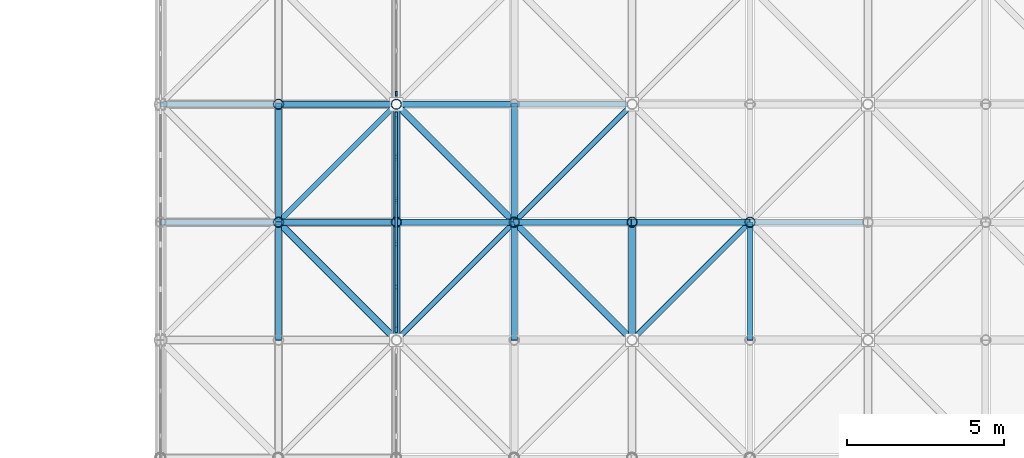
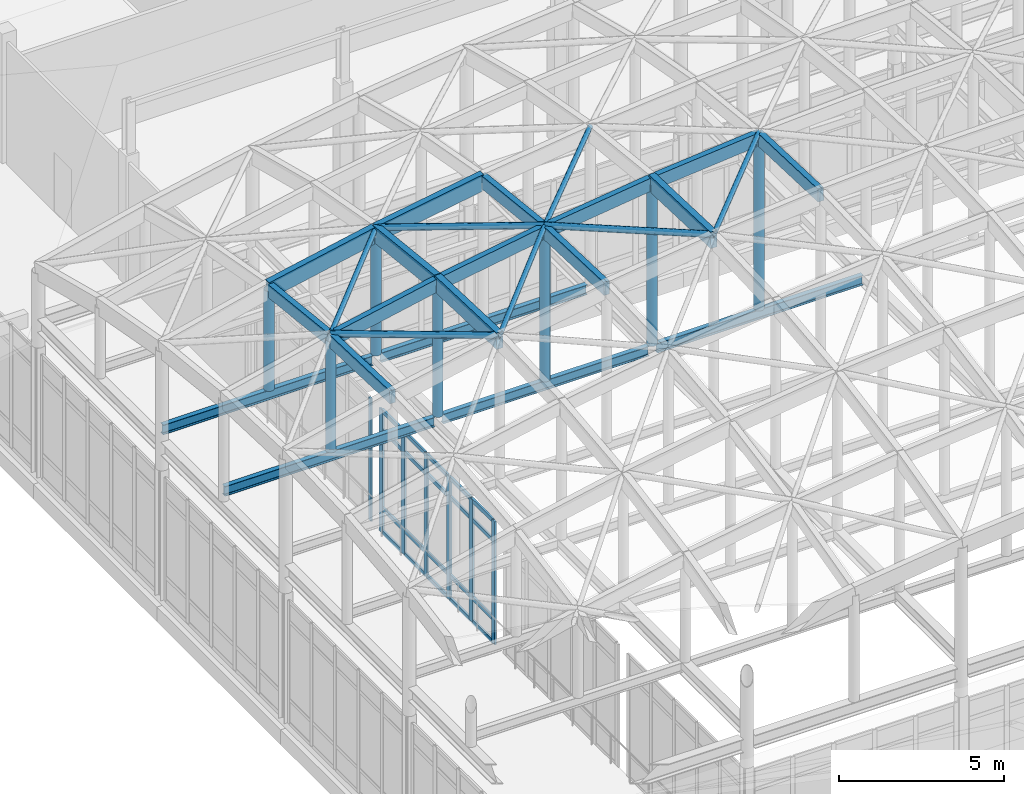
# One storey, part 37 of 131: 55 members, 5 beams, 2 elements without a shape of their own.
"""IFC4 building model written with IfcOpenShell, lengths in metres."""

from ifc_helpers import new_model, si_unit, direction, frame, origin, origin_2d, place, context, subcontext, project, spatial, rectangle, hollow_circle, i_section, extrude, material, layer, layer_set, material_profile, profile_set, type_object, element, aggregate, save


model = new_model("IFC4")

# Units and contexts
model_context = context("Model", 3, precision=1e-05, world=origin(), true_north=direction((0.0, 1.0)))
body_context = subcontext(model_context, "Body", "Model", "MODEL_VIEW")
ifc_project = project(units=[si_unit("LENGTHUNIT", "METRE"), si_unit("AREAUNIT", "SQUARE_METRE"), si_unit("VOLUMEUNIT", "CUBIC_METRE"), si_unit("PLANEANGLEUNIT", "RADIAN"), si_unit("MASSUNIT", "GRAM", prefix="KILO")], contexts=[model_context])

# Site, building, storey
site_placement = place(None, origin())
site = spatial("IfcSite", under=ifc_project, at=site_placement, CompositionType="ELEMENT")
building_placement = place(site_placement, origin())
building = spatial("IfcBuilding", under=site, at=building_placement, Name="Dalvernix Boulevard General Hospital", CompositionType="ELEMENT")
storey_placement = place(building_placement, frame((0.0, 0.0, 9.300048828125)))
storey = spatial("IfcBuildingStorey", under=building, at=storey_placement, Name="L02", CompositionType="ELEMENT", Elevation=9.300048828125)

# Beams
ifc_material_1 = material(Name="Steel S355", Category="steel")
ifc_material_profile_1 = material_profile(ifc_material_1, i_section(OverallWidth=0.169921875, OverallDepth=0.360107421875, WebThickness=0.008056640625, FlangeThickness=0.0126953125, FilletRadius=0.01806640625, at=origin_2d()), Name="IPE 360")
ifc_profile_set_1 = profile_set([ifc_material_profile_1], Name="Steel S355")
beam_type = type_object("IfcBeamType", Name="BM-RB-08", PredefinedType="BEAM", material=ifc_profile_set_1)
beam_1_placement = place(storey_placement, frame((60.0, 50.25, 6.219970703125), z_axis=(1.0, 0.0, 0.0), x_axis=(0.0, 1.0, 0.0)))
element("IfcBeam", 1, at=beam_1_placement, inside=storey, type_object=beam_type, Name="ROOF TRUSS Gridshell cross tie 0-5", PredefinedType="BEAM", context=body_context, shape_type="SweptSolid", body=[
    extrude(i_section(OverallWidth=0.169921875, OverallDepth=0.360107421875, WebThickness=0.008056640625, FlangeThickness=0.0126953125, FilletRadius=0.01806640625, at=origin_2d()), origin(), (0.0, 0.0, 1.0), 7.35791015625),
])
for number, where, z_axis, x_axis, name in (
    (2, (67.64208984375, 50.25, 6.219970703125), (1.0, 0.0, 0.0), (0.0, 1.0, 0.0), "ROOF TRUSS Gridshell cross tie 2-5"),
    (3, (75.14208984375, 50.25, 6.219970703125), (1.0, 0.0, 0.0), (0.0, 1.0, 0.0), "ROOF TRUSS Gridshell cross tie 4-5"),
):
    element("IfcBeam", number, at=place(storey_placement, frame(where, z_axis=z_axis, x_axis=x_axis)), inside=storey, type_object=beam_type, Name=name, PredefinedType="BEAM", context=body_context, shape_type="SweptSolid", body=[
        extrude(i_section(OverallWidth=0.169921875, OverallDepth=0.360107421875, WebThickness=0.008056640625, FlangeThickness=0.0126953125, FilletRadius=0.01806640625, at=origin_2d()), origin(), (0.0, 0.0, 1.0), 7.2158203125),
    ])
beam_2_placement = place(storey_placement, frame((60.0, 54.0, 6.219970703125), z_axis=(1.0, 0.0, 0.0), x_axis=(0.0, 1.0, 0.0)))
element("IfcBeam", 4, at=beam_2_placement, inside=storey, type_object=beam_type, Name="ROOF TRUSS Gridshell cross tie 0-6", PredefinedType="BEAM", context=body_context, shape_type="SweptSolid", body=[
    extrude(i_section(OverallWidth=0.169921875, OverallDepth=0.360107421875, WebThickness=0.008056640625, FlangeThickness=0.0126953125, FilletRadius=0.01806640625, at=origin_2d()), origin(), (0.0, 0.0, 1.0), 7.35791015625),
])
beam_3_placement = place(storey_placement, frame((67.64208984375, 54.0, 6.219970703125), z_axis=(1.0, 0.0, 0.0), x_axis=(0.0, 1.0, 0.0)))
element("IfcBeam", 5, at=beam_3_placement, inside=storey, type_object=beam_type, Name="ROOF TRUSS Gridshell cross tie 2-6", PredefinedType="BEAM", context=body_context, shape_type="SweptSolid", body=[
    extrude(i_section(OverallWidth=0.169921875, OverallDepth=0.360107421875, WebThickness=0.008056640625, FlangeThickness=0.0126953125, FilletRadius=0.01806640625, at=origin_2d()), origin(), (0.0, 0.0, 1.0), 7.2158203125),
])

# Curtain wall, member
ifc_material_2 = material(Name="Thermally broken aluminium and solar-control glass curtain wall", Category="aluminium")
ifc_layer_1 = layer(ifc_material_2, 0.159912109375)
ifc_layer_set_1 = layer_set([ifc_layer_1], Name="Thermally broken aluminium and solar-control glass curtain wall (CW-CW-A-70x46)")
curtain_wall_type_1 = type_object("IfcCurtainWallType", Name="CW-CW-A-70x46", PredefinedType="USERDEFINED", material=ifc_layer_set_1)
curtain_wall_1_placement = place(storey_placement, origin())
curtain_wall_1 = element("IfcCurtainWall", 6, at=curtain_wall_1_placement, inside=storey, type_object=curtain_wall_type_1, Name="L02 curtain wall CW-A-70x46 9-7", ObjectType="GLAZED FACADE", PredefinedType="USERDEFINED")
ifc_material_3 = material(Name="Aluminium EN AW-6060", Category="aluminium")
ifc_material_profile_2 = material_profile(ifc_material_3, rectangle(XDim=0.06005859375, YDim=0.159912109375, at=origin_2d()), Name="ALU MULL 60x160")
ifc_profile_set_2 = profile_set([ifc_material_profile_2], Name="Aluminium EN AW-6060")
member_type_1 = type_object("IfcMemberType", Name="MEM-CW-M1", PredefinedType="MULLION", material=ifc_profile_set_2)
member_1_placement = place(storey_placement, frame((67.5, 54.340087890625, 0.0), z_axis=(0.0, 0.0, 1.0), x_axis=(1.0, 0.0, 0.0)))
member_1 = element("IfcMember", 7, at=member_1_placement, type_object=member_type_1, Name="CW-A-70x46 mullion 6", PredefinedType="MULLION", context=body_context, shape_type="SweptSolid", body=[
    extrude(rectangle(XDim=0.06005859375, YDim=0.159912109375, at=origin_2d()), origin(), (0.0, 0.0, 1.0), 4.550048828125),
])
aggregate(curtain_wall_1, [member_1])

# Curtain wall, members
ifc_layer_2 = layer(ifc_material_2, 0.199951171875)
ifc_layer_set_2 = layer_set([ifc_layer_2], Name="Thermally broken aluminium and solar-control glass curtain wall (CW-CW-C-69x46)")
curtain_wall_type_2 = type_object("IfcCurtainWallType", Name="CW-CW-C-69x46", PredefinedType="USERDEFINED", material=ifc_layer_set_2)
curtain_wall_2_placement = place(storey_placement, origin())
curtain_wall_2 = element("IfcCurtainWall", 8, at=curtain_wall_2_placement, inside=storey, type_object=curtain_wall_type_2, Name="L02 curtain wall CW-C-69x46 9-6", ObjectType="GLAZED FACADE", PredefinedType="USERDEFINED")
ifc_material_profile_3 = material_profile(ifc_material_3, rectangle(XDim=0.070068359375, YDim=0.199951171875, at=origin_2d()), Name="ALU MULL 70x200")
ifc_profile_set_3 = profile_set([ifc_material_profile_3], Name="Aluminium EN AW-6060")
member_type_2 = type_object("IfcMemberType", Name="MEM-CW-M3", PredefinedType="MULLION", material=ifc_profile_set_3)
member_2_placement = place(storey_placement, frame((67.5, 53.655029296875, 0.0), z_axis=(0.0, 0.0, 1.0), x_axis=(1.0, 0.0, 0.0)))
member_2 = element("IfcMember", 9, at=member_2_placement, type_object=member_type_2, Name="CW-C-69x46 mullion 1", PredefinedType="MULLION", context=body_context, shape_type="SweptSolid", body=[
    extrude(rectangle(XDim=0.070068359375, YDim=0.199951171875, at=origin_2d()), origin(), (0.0, 0.0, 1.0), 4.550048828125),
])
member_3_placement = place(storey_placement, frame((67.5, 52.31396484375, 0.0), z_axis=(0.0, 0.0, 1.0), x_axis=(1.0, 0.0, 0.0)))
member_3 = element("IfcMember", 10, at=member_3_placement, type_object=member_type_2, Name="CW-C-69x46 mullion 2", PredefinedType="MULLION", context=body_context, shape_type="SweptSolid", body=[
    extrude(rectangle(XDim=0.070068359375, YDim=0.199951171875, at=origin_2d()), origin(), (0.0, 0.0, 1.0), 4.550048828125),
])
member_4_placement = place(storey_placement, frame((67.5, 50.93798828125, 0.0), z_axis=(0.0, 0.0, 1.0), x_axis=(1.0, 0.0, 0.0)))
member_4 = element("IfcMember", 11, at=member_4_placement, type_object=member_type_2, Name="CW-C-69x46 mullion 3", PredefinedType="MULLION", context=body_context, shape_type="SweptSolid", body=[
    extrude(rectangle(XDim=0.070068359375, YDim=0.199951171875, at=origin_2d()), origin(), (0.0, 0.0, 1.0), 4.550048828125),
])
member_5_placement = place(storey_placement, frame((67.5, 49.56201171875, 0.0), z_axis=(0.0, 0.0, 1.0), x_axis=(1.0, 0.0, 0.0)))
member_5 = element("IfcMember", 12, at=member_5_placement, type_object=member_type_2, Name="CW-C-69x46 mullion 4", PredefinedType="MULLION", context=body_context, shape_type="SweptSolid", body=[
    extrude(rectangle(XDim=0.070068359375, YDim=0.199951171875, at=origin_2d()), origin(), (0.0, 0.0, 1.0), 4.550048828125),
])
member_6_placement = place(storey_placement, frame((67.5, 48.18603515625, 0.0), z_axis=(0.0, 0.0, 1.0), x_axis=(1.0, 0.0, 0.0)))
member_6 = element("IfcMember", 13, at=member_6_placement, type_object=member_type_2, Name="CW-C-69x46 mullion 5", PredefinedType="MULLION", context=body_context, shape_type="SweptSolid", body=[
    extrude(rectangle(XDim=0.070068359375, YDim=0.199951171875, at=origin_2d()), origin(), (0.0, 0.0, 1.0), 4.550048828125),
])
member_7_placement = place(storey_placement, frame((67.5, 46.844970703125, 0.0), z_axis=(0.0, 0.0, 1.0), x_axis=(1.0, 0.0, 0.0)))
member_7 = element("IfcMember", 14, at=member_7_placement, type_object=member_type_2, Name="CW-C-69x46 mullion 6", PredefinedType="MULLION", context=body_context, shape_type="SweptSolid", body=[
    extrude(rectangle(XDim=0.070068359375, YDim=0.199951171875, at=origin_2d()), origin(), (0.0, 0.0, 1.0), 4.550048828125),
])
ifc_material_profile_4 = material_profile(ifc_material_3, rectangle(XDim=0.070068359375, YDim=0.14990234375, at=origin_2d()), Name="ALU TRAN 70x150")
ifc_profile_set_4 = profile_set([ifc_material_profile_4], Name="Aluminium EN AW-6060")
member_type_3 = type_object("IfcMemberType", Name="MEM-CW-T3", PredefinedType="USERDEFINED", material=ifc_profile_set_4)
member_8_placement = place(storey_placement, frame((67.5, 53.6201171875, 0.034912109375), z_axis=(0.0, -1.0, 0.0), x_axis=(1.0, 0.0, 0.0)))
member_8 = element("IfcMember", 15, at=member_8_placement, type_object=member_type_3, Name="CW-C-69x46 transom 1.1", ObjectType="TRANSOM", PredefinedType="USERDEFINED", context=body_context, shape_type="SweptSolid", body=[
    extrude(rectangle(XDim=0.070068359375, YDim=0.14990234375, at=origin_2d()), origin(), (0.0, 0.0, 1.0), 1.27099609375),
])
member_9_placement = place(storey_placement, frame((67.5, 53.6201171875, 0.89990234375), z_axis=(0.0, -1.0, 0.0), x_axis=(1.0, 0.0, 0.0)))
member_9 = element("IfcMember", 16, at=member_9_placement, type_object=member_type_3, Name="CW-C-69x46 transom 1.2", ObjectType="TRANSOM", PredefinedType="USERDEFINED", context=body_context, shape_type="SweptSolid", body=[
    extrude(rectangle(XDim=0.070068359375, YDim=0.14990234375, at=origin_2d()), origin(), (0.0, 0.0, 1.0), 1.27099609375),
])
member_10_placement = place(storey_placement, frame((67.5, 53.6201171875, 3.800048828125), z_axis=(0.0, -1.0, 0.0), x_axis=(1.0, 0.0, 0.0)))
member_10 = element("IfcMember", 17, at=member_10_placement, type_object=member_type_3, Name="CW-C-69x46 transom 1.3", ObjectType="TRANSOM", PredefinedType="USERDEFINED", context=body_context, shape_type="SweptSolid", body=[
    extrude(rectangle(XDim=0.070068359375, YDim=0.14990234375, at=origin_2d()), origin(), (0.0, 0.0, 1.0), 1.27099609375),
])
member_11_placement = place(storey_placement, frame((67.5, 53.6201171875, 4.514892578125), z_axis=(0.0, -1.0, 0.0), x_axis=(1.0, 0.0, 0.0)))
member_11 = element("IfcMember", 18, at=member_11_placement, type_object=member_type_3, Name="CW-C-69x46 transom 1.4", ObjectType="TRANSOM", PredefinedType="USERDEFINED", context=body_context, shape_type="SweptSolid", body=[
    extrude(rectangle(XDim=0.070068359375, YDim=0.14990234375, at=origin_2d()), origin(), (0.0, 0.0, 1.0), 1.27099609375),
])
member_12_placement = place(storey_placement, frame((67.5, 52.279052734375, 0.034912109375), z_axis=(0.0, -1.0, 0.0), x_axis=(1.0, 0.0, 0.0)))
member_12 = element("IfcMember", 19, at=member_12_placement, type_object=member_type_3, Name="CW-C-69x46 transom 2.1", ObjectType="TRANSOM", PredefinedType="USERDEFINED", context=body_context, shape_type="SweptSolid", body=[
    extrude(rectangle(XDim=0.070068359375, YDim=0.14990234375, at=origin_2d()), origin(), (0.0, 0.0, 1.0), 1.30615234375),
])
member_13_placement = place(storey_placement, frame((67.5, 52.279052734375, 0.89990234375), z_axis=(0.0, -1.0, 0.0), x_axis=(1.0, 0.0, 0.0)))
member_13 = element("IfcMember", 20, at=member_13_placement, type_object=member_type_3, Name="CW-C-69x46 transom 2.2", ObjectType="TRANSOM", PredefinedType="USERDEFINED", context=body_context, shape_type="SweptSolid", body=[
    extrude(rectangle(XDim=0.070068359375, YDim=0.14990234375, at=origin_2d()), origin(), (0.0, 0.0, 1.0), 1.30615234375),
])
member_14_placement = place(storey_placement, frame((67.5, 52.279052734375, 3.800048828125), z_axis=(0.0, -1.0, 0.0), x_axis=(1.0, 0.0, 0.0)))
member_14 = element("IfcMember", 21, at=member_14_placement, type_object=member_type_3, Name="CW-C-69x46 transom 2.3", ObjectType="TRANSOM", PredefinedType="USERDEFINED", context=body_context, shape_type="SweptSolid", body=[
    extrude(rectangle(XDim=0.070068359375, YDim=0.14990234375, at=origin_2d()), origin(), (0.0, 0.0, 1.0), 1.30615234375),
])
member_15_placement = place(storey_placement, frame((67.5, 52.279052734375, 4.514892578125), z_axis=(0.0, -1.0, 0.0), x_axis=(1.0, 0.0, 0.0)))
member_15 = element("IfcMember", 22, at=member_15_placement, type_object=member_type_3, Name="CW-C-69x46 transom 2.4", ObjectType="TRANSOM", PredefinedType="USERDEFINED", context=body_context, shape_type="SweptSolid", body=[
    extrude(rectangle(XDim=0.070068359375, YDim=0.14990234375, at=origin_2d()), origin(), (0.0, 0.0, 1.0), 1.30615234375),
])
member_16_placement = place(storey_placement, frame((67.5, 50.903076171875, 0.034912109375), z_axis=(0.0, -1.0, 0.0), x_axis=(1.0, 0.0, 0.0)))
member_16 = element("IfcMember", 23, at=member_16_placement, type_object=member_type_3, Name="CW-C-69x46 transom 3.1", ObjectType="TRANSOM", PredefinedType="USERDEFINED", context=body_context, shape_type="SweptSolid", body=[
    extrude(rectangle(XDim=0.070068359375, YDim=0.14990234375, at=origin_2d()), origin(), (0.0, 0.0, 1.0), 1.30615234375),
])
member_17_placement = place(storey_placement, frame((67.5, 50.903076171875, 0.89990234375), z_axis=(0.0, -1.0, 0.0), x_axis=(1.0, 0.0, 0.0)))
member_17 = element("IfcMember", 24, at=member_17_placement, type_object=member_type_3, Name="CW-C-69x46 transom 3.2", ObjectType="TRANSOM", PredefinedType="USERDEFINED", context=body_context, shape_type="SweptSolid", body=[
    extrude(rectangle(XDim=0.070068359375, YDim=0.14990234375, at=origin_2d()), origin(), (0.0, 0.0, 1.0), 1.30615234375),
])
member_18_placement = place(storey_placement, frame((67.5, 50.903076171875, 3.800048828125), z_axis=(0.0, -1.0, 0.0), x_axis=(1.0, 0.0, 0.0)))
member_18 = element("IfcMember", 25, at=member_18_placement, type_object=member_type_3, Name="CW-C-69x46 transom 3.3", ObjectType="TRANSOM", PredefinedType="USERDEFINED", context=body_context, shape_type="SweptSolid", body=[
    extrude(rectangle(XDim=0.070068359375, YDim=0.14990234375, at=origin_2d()), origin(), (0.0, 0.0, 1.0), 1.30615234375),
])
member_19_placement = place(storey_placement, frame((67.5, 50.903076171875, 4.514892578125), z_axis=(0.0, -1.0, 0.0), x_axis=(1.0, 0.0, 0.0)))
member_19 = element("IfcMember", 26, at=member_19_placement, type_object=member_type_3, Name="CW-C-69x46 transom 3.4", ObjectType="TRANSOM", PredefinedType="USERDEFINED", context=body_context, shape_type="SweptSolid", body=[
    extrude(rectangle(XDim=0.070068359375, YDim=0.14990234375, at=origin_2d()), origin(), (0.0, 0.0, 1.0), 1.30615234375),
])
member_20_placement = place(storey_placement, frame((67.5, 49.527099609375, 0.034912109375), z_axis=(0.0, -1.0, 0.0), x_axis=(1.0, 0.0, 0.0)))
member_20 = element("IfcMember", 27, at=member_20_placement, type_object=member_type_3, Name="CW-C-69x46 transom 4.1", ObjectType="TRANSOM", PredefinedType="USERDEFINED", context=body_context, shape_type="SweptSolid", body=[
    extrude(rectangle(XDim=0.070068359375, YDim=0.14990234375, at=origin_2d()), origin(), (0.0, 0.0, 1.0), 1.30615234375),
])
member_21_placement = place(storey_placement, frame((67.5, 49.527099609375, 0.89990234375), z_axis=(0.0, -1.0, 0.0), x_axis=(1.0, 0.0, 0.0)))
member_21 = element("IfcMember", 28, at=member_21_placement, type_object=member_type_3, Name="CW-C-69x46 transom 4.2", ObjectType="TRANSOM", PredefinedType="USERDEFINED", context=body_context, shape_type="SweptSolid", body=[
    extrude(rectangle(XDim=0.070068359375, YDim=0.14990234375, at=origin_2d()), origin(), (0.0, 0.0, 1.0), 1.30615234375),
])
member_22_placement = place(storey_placement, frame((67.5, 49.527099609375, 3.800048828125), z_axis=(0.0, -1.0, 0.0), x_axis=(1.0, 0.0, 0.0)))
member_22 = element("IfcMember", 29, at=member_22_placement, type_object=member_type_3, Name="CW-C-69x46 transom 4.3", ObjectType="TRANSOM", PredefinedType="USERDEFINED", context=body_context, shape_type="SweptSolid", body=[
    extrude(rectangle(XDim=0.070068359375, YDim=0.14990234375, at=origin_2d()), origin(), (0.0, 0.0, 1.0), 1.30615234375),
])
member_23_placement = place(storey_placement, frame((67.5, 49.527099609375, 4.514892578125), z_axis=(0.0, -1.0, 0.0), x_axis=(1.0, 0.0, 0.0)))
member_23 = element("IfcMember", 30, at=member_23_placement, type_object=member_type_3, Name="CW-C-69x46 transom 4.4", ObjectType="TRANSOM", PredefinedType="USERDEFINED", context=body_context, shape_type="SweptSolid", body=[
    extrude(rectangle(XDim=0.070068359375, YDim=0.14990234375, at=origin_2d()), origin(), (0.0, 0.0, 1.0), 1.30615234375),
])
member_24_placement = place(storey_placement, frame((67.5, 48.15087890625, 0.034912109375), z_axis=(0.0, -1.0, 0.0), x_axis=(1.0, 0.0, 0.0)))
member_24 = element("IfcMember", 31, at=member_24_placement, type_object=member_type_3, Name="CW-C-69x46 transom 5.1", ObjectType="TRANSOM", PredefinedType="USERDEFINED", context=body_context, shape_type="SweptSolid", body=[
    extrude(rectangle(XDim=0.070068359375, YDim=0.14990234375, at=origin_2d()), origin(), (0.0, 0.0, 1.0), 1.27099609375),
])
member_25_placement = place(storey_placement, frame((67.5, 48.15087890625, 0.89990234375), z_axis=(0.0, -1.0, 0.0), x_axis=(1.0, 0.0, 0.0)))
member_25 = element("IfcMember", 32, at=member_25_placement, type_object=member_type_3, Name="CW-C-69x46 transom 5.2", ObjectType="TRANSOM", PredefinedType="USERDEFINED", context=body_context, shape_type="SweptSolid", body=[
    extrude(rectangle(XDim=0.070068359375, YDim=0.14990234375, at=origin_2d()), origin(), (0.0, 0.0, 1.0), 1.27099609375),
])
member_26_placement = place(storey_placement, frame((67.5, 48.15087890625, 3.800048828125), z_axis=(0.0, -1.0, 0.0), x_axis=(1.0, 0.0, 0.0)))
member_26 = element("IfcMember", 33, at=member_26_placement, type_object=member_type_3, Name="CW-C-69x46 transom 5.3", ObjectType="TRANSOM", PredefinedType="USERDEFINED", context=body_context, shape_type="SweptSolid", body=[
    extrude(rectangle(XDim=0.070068359375, YDim=0.14990234375, at=origin_2d()), origin(), (0.0, 0.0, 1.0), 1.27099609375),
])
member_27_placement = place(storey_placement, frame((67.5, 48.15087890625, 4.514892578125), z_axis=(0.0, -1.0, 0.0), x_axis=(1.0, 0.0, 0.0)))
member_27 = element("IfcMember", 34, at=member_27_placement, type_object=member_type_3, Name="CW-C-69x46 transom 5.4", ObjectType="TRANSOM", PredefinedType="USERDEFINED", context=body_context, shape_type="SweptSolid", body=[
    extrude(rectangle(XDim=0.070068359375, YDim=0.14990234375, at=origin_2d()), origin(), (0.0, 0.0, 1.0), 1.27099609375),
])
aggregate(curtain_wall_2, [member_2, member_3, member_4, member_5, member_6, member_7, member_8, member_9, member_10, member_11, member_12, member_13, member_14, member_15, member_16, member_17, member_18, member_19, member_20, member_21, member_22, member_23, member_24, member_25, member_26, member_27])

# Members
ifc_material_4 = material(Name="Glulam GL28h", Category="wood")
ifc_material_profile_5 = material_profile(ifc_material_4, rectangle(XDim=0.219970703125, YDim=0.60009765625, at=origin_2d()), Name="GL28h 220x600")
ifc_profile_set_5 = profile_set([ifc_material_profile_5], Name="Glulam GL28h")
member_type_4 = type_object("IfcMemberType", Name="MEM-GS-C1", PredefinedType="CHORD", material=ifc_profile_set_5)
member_28_placement = place(storey_placement, frame((63.75, 54.0, 10.10205078125), z_axis=(0.979912579686, 0.0, 0.1994275211), x_axis=(0.0, 1.0, 0.0)))
element("IfcMember", 35, at=member_28_placement, inside=storey, type_object=member_type_4, Name="ROOF TRUSS Gridshell E-W glulam rib 2-7", PredefinedType="CHORD", context=body_context, shape_type="SweptSolid", body=[
    extrude(rectangle(XDim=0.219970703125, YDim=0.60009765625, at=origin_2d()), origin(), (0.0, 0.0, 1.0), 3.826904296875),
])
member_29_placement = place(storey_placement, frame((67.5, 54.0, 10.865234375), z_axis=(0.98641474393, 0.0, 0.164274017902), x_axis=(0.0, 1.0, 0.0)))
element("IfcMember", 36, at=member_29_placement, inside=storey, type_object=member_type_4, Name="ROOF TRUSS Gridshell E-W glulam rib 3-7", PredefinedType="CHORD", context=body_context, shape_type="SweptSolid", body=[
    extrude(rectangle(XDim=0.219970703125, YDim=0.60009765625, at=origin_2d()), origin(), (0.0, 0.0, 1.0), 3.8017578125),
])
member_30_placement = place(storey_placement, frame((67.5, 46.5, 11.415283203125), z_axis=(0.0, 0.999328931228, -0.036629048716), x_axis=(-1.0, 0.0, 0.0)))
element("IfcMember", 37, at=member_30_placement, inside=storey, type_object=member_type_4, Name="ROOF TRUSS Gridshell N-S glulam rib 3-5", PredefinedType="CHORD", context=body_context, shape_type="SweptSolid", body=[
    extrude(rectangle(XDim=0.219970703125, YDim=0.60009765625, at=origin_2d()), origin(), (0.0, 0.0, 1.0), 3.75244140625),
])
member_31_placement = place(storey_placement, frame((67.5, 50.25, 11.27783203125), z_axis=(0.0, 0.994001542248, -0.109366055104), x_axis=(-1.0, 0.0, 0.0)))
element("IfcMember", 38, at=member_31_placement, inside=storey, type_object=member_type_4, Name="ROOF TRUSS Gridshell N-S glulam rib 3-6", PredefinedType="CHORD", context=body_context, shape_type="SweptSolid", body=[
    extrude(rectangle(XDim=0.219970703125, YDim=0.60009765625, at=origin_2d()), origin(), (0.0, 0.0, 1.0), 3.772705078125),
])
member_32_placement = place(storey_placement, frame((75.0, 46.5, 12.525390625), z_axis=(0.0, 0.999328931228, -0.036629048716), x_axis=(-1.0, 0.0, 0.0)))
element("IfcMember", 39, at=member_32_placement, inside=storey, type_object=member_type_4, Name="ROOF TRUSS Gridshell N-S glulam rib 5-5", PredefinedType="CHORD", context=body_context, shape_type="SweptSolid", body=[
    extrude(rectangle(XDim=0.219970703125, YDim=0.60009765625, at=origin_2d()), origin(), (0.0, 0.0, 1.0), 3.75244140625),
])
ifc_material_profile_6 = material_profile(ifc_material_4, rectangle(XDim=0.199951171875, YDim=0.47998046875, at=origin_2d()), Name="GL28h 200x480")
ifc_profile_set_6 = profile_set([ifc_material_profile_6], Name="Glulam GL28h")
member_type_5 = type_object("IfcMemberType", Name="MEM-GS-C2", PredefinedType="CHORD", material=ifc_profile_set_6)
member_33_placement = place(storey_placement, frame((63.75, 50.25, 10.514404296875), z_axis=(0.979900110741, 0.0, 0.199488779055), x_axis=(0.0, 1.0, 0.0)))
element("IfcMember", 40, at=member_33_placement, inside=storey, type_object=member_type_5, Name="ROOF TRUSS Gridshell E-W glulam rib 2-6", PredefinedType="CHORD", context=body_context, shape_type="SweptSolid", body=[
    extrude(rectangle(XDim=0.199951171875, YDim=0.47998046875, at=origin_2d()), origin(), (0.0, 0.0, 1.0), 3.826904296875),
])
member_34_placement = place(storey_placement, frame((67.5, 50.25, 11.27783203125), z_axis=(0.98641474393, 0.0, 0.164274017902), x_axis=(0.0, 1.0, 0.0)))
element("IfcMember", 41, at=member_34_placement, inside=storey, type_object=member_type_5, Name="ROOF TRUSS Gridshell E-W glulam rib 3-6", PredefinedType="CHORD", context=body_context, shape_type="SweptSolid", body=[
    extrude(rectangle(XDim=0.199951171875, YDim=0.47998046875, at=origin_2d()), origin(), (0.0, 0.0, 1.0), 3.8017578125),
])
member_35_placement = place(storey_placement, frame((71.25, 50.25, 11.90234375), z_axis=(0.99171987465, 0.0, 0.128419975956), x_axis=(0.0, 1.0, 0.0)))
element("IfcMember", 42, at=member_35_placement, inside=storey, type_object=member_type_5, Name="ROOF TRUSS Gridshell E-W glulam rib 4-6", PredefinedType="CHORD", context=body_context, shape_type="SweptSolid", body=[
    extrude(rectangle(XDim=0.199951171875, YDim=0.47998046875, at=origin_2d()), origin(), (0.0, 0.0, 1.0), 3.78125),
])
member_36_placement = place(storey_placement, frame((75.0, 50.25, 12.387939453125), z_axis=(0.995747945021, 0.0, 0.092119650382), x_axis=(0.0, 1.0, 0.0)))
element("IfcMember", 43, at=member_36_placement, inside=storey, type_object=member_type_5, Name="ROOF TRUSS Gridshell E-W glulam rib 5-6", PredefinedType="CHORD", context=body_context, shape_type="SweptSolid", body=[
    extrude(rectangle(XDim=0.199951171875, YDim=0.47998046875, at=origin_2d()), origin(), (0.0, 0.0, 1.0), 3.76611328125),
])
member_37_placement = place(storey_placement, frame((63.75, 46.5, 10.65185546875), z_axis=(0.0, 0.999328931228, -0.036629048716), x_axis=(-1.0, 0.0, 0.0)))
element("IfcMember", 44, at=member_37_placement, inside=storey, type_object=member_type_5, Name="ROOF TRUSS Gridshell N-S glulam rib 2-5", PredefinedType="CHORD", context=body_context, shape_type="SweptSolid", body=[
    extrude(rectangle(XDim=0.199951171875, YDim=0.47998046875, at=origin_2d()), origin(), (0.0, 0.0, 1.0), 3.75244140625),
])
member_38_placement = place(storey_placement, frame((63.75, 50.25, 10.514404296875), z_axis=(0.0, 0.994008575263, -0.109302114819), x_axis=(-1.0, 0.0, 0.0)))
element("IfcMember", 45, at=member_38_placement, inside=storey, type_object=member_type_5, Name="ROOF TRUSS Gridshell N-S glulam rib 2-6", PredefinedType="CHORD", context=body_context, shape_type="SweptSolid", body=[
    extrude(rectangle(XDim=0.199951171875, YDim=0.47998046875, at=origin_2d()), origin(), (0.0, 0.0, 1.0), 3.772705078125),
])
member_39_placement = place(storey_placement, frame((71.25, 46.5, 12.039794921875), z_axis=(0.0, 0.999328931228, -0.036629048716), x_axis=(-1.0, 0.0, 0.0)))
element("IfcMember", 46, at=member_39_placement, inside=storey, type_object=member_type_5, Name="ROOF TRUSS Gridshell N-S glulam rib 4-5", PredefinedType="CHORD", context=body_context, shape_type="SweptSolid", body=[
    extrude(rectangle(XDim=0.199951171875, YDim=0.47998046875, at=origin_2d()), origin(), (0.0, 0.0, 1.0), 3.75244140625),
])
member_40_placement = place(storey_placement, frame((71.25, 50.25, 11.90234375), z_axis=(0.0, 0.994001542248, -0.109366055104), x_axis=(-1.0, 0.0, 0.0)))
element("IfcMember", 47, at=member_40_placement, inside=storey, type_object=member_type_5, Name="ROOF TRUSS Gridshell N-S glulam rib 4-6", PredefinedType="CHORD", context=body_context, shape_type="SweptSolid", body=[
    extrude(rectangle(XDim=0.199951171875, YDim=0.47998046875, at=origin_2d()), origin(), (0.0, 0.0, 1.0), 3.772705078125),
])
member_41_placement = place(storey_placement, frame((78.75, 46.5, 12.872314453125), z_axis=(0.0, 0.999328931228, -0.036629048716), x_axis=(-1.0, 0.0, 0.0)))
element("IfcMember", 48, at=member_41_placement, inside=storey, type_object=member_type_5, Name="ROOF TRUSS Gridshell N-S glulam rib 6-5", PredefinedType="CHORD", context=body_context, shape_type="SweptSolid", body=[
    extrude(rectangle(XDim=0.199951171875, YDim=0.47998046875, at=origin_2d()), origin(), (0.0, 0.0, 1.0), 3.75244140625),
])
ifc_material_profile_7 = material_profile(ifc_material_1, hollow_circle(Radius=0.161865234375, WallThickness=0.012451171875, at=origin_2d()), Name="CHS 323.9x12.5")
ifc_profile_set_7 = profile_set([ifc_material_profile_7], Name="Steel S355")
member_type_6 = type_object("IfcMemberType", Name="MEM-GS-C3", PredefinedType="CHORD", material=ifc_profile_set_7)
member_42_placement = place(storey_placement, frame((63.75, 50.25, 6.39990234375), z_axis=(0.0, 0.0, 1.0), x_axis=(1.0, 0.0, 0.0)))
element("IfcMember", 49, at=member_42_placement, inside=storey, type_object=member_type_6, Name="ROOF TRUSS Gridshell arch queen post 1-5", PredefinedType="CHORD", context=body_context, shape_type="SweptSolid", body=[
    extrude(hollow_circle(Radius=0.161865234375, WallThickness=0.012451171875, at=origin_2d()), origin(), (0.0, 0.0, 1.0), 4.114501953125),
])
member_43_placement = place(storey_placement, frame((63.75, 54.0, 6.39990234375), z_axis=(0.0, 0.0, 1.0), x_axis=(1.0, 0.0, 0.0)))
element("IfcMember", 50, at=member_43_placement, inside=storey, type_object=member_type_6, Name="ROOF TRUSS Gridshell arch queen post 1-6", PredefinedType="CHORD", context=body_context, shape_type="SweptSolid", body=[
    extrude(hollow_circle(Radius=0.161865234375, WallThickness=0.012451171875, at=origin_2d()), origin(), (0.0, 0.0, 1.0), 3.7021484375),
])
member_44_placement = place(storey_placement, frame((67.5, 50.25, 6.39990234375), z_axis=(0.0, 0.0, 1.0), x_axis=(1.0, 0.0, 0.0)))
element("IfcMember", 51, at=member_44_placement, inside=storey, type_object=member_type_6, Name="ROOF TRUSS Gridshell arch queen post 2-5", PredefinedType="CHORD", context=body_context, shape_type="SweptSolid", body=[
    extrude(hollow_circle(Radius=0.161865234375, WallThickness=0.012451171875, at=origin_2d()), origin(), (0.0, 0.0, 1.0), 4.8779296875),
])
member_45_placement = place(storey_placement, frame((67.5, 54.0, 6.39990234375), z_axis=(0.0, 0.0, 1.0), x_axis=(1.0, 0.0, 0.0)))
element("IfcMember", 52, at=member_45_placement, inside=storey, type_object=member_type_6, Name="ROOF TRUSS Gridshell arch queen post 2-6", PredefinedType="CHORD", context=body_context, shape_type="SweptSolid", body=[
    extrude(hollow_circle(Radius=0.161865234375, WallThickness=0.012451171875, at=origin_2d()), origin(), (0.0, 0.0, 1.0), 4.46533203125),
])
member_46_placement = place(storey_placement, frame((71.25, 50.25, 6.39990234375), z_axis=(0.0, 0.0, 1.0), x_axis=(1.0, 0.0, 0.0)))
element("IfcMember", 53, at=member_46_placement, inside=storey, type_object=member_type_6, Name="ROOF TRUSS Gridshell arch queen post 3-5", PredefinedType="CHORD", context=body_context, shape_type="SweptSolid", body=[
    extrude(hollow_circle(Radius=0.161865234375, WallThickness=0.012451171875, at=origin_2d()), origin(), (0.0, 0.0, 1.0), 5.50244140625),
])
member_47_placement = place(storey_placement, frame((75.0, 50.25, 6.39990234375), z_axis=(0.0, 0.0, 1.0), x_axis=(1.0, 0.0, 0.0)))
element("IfcMember", 54, at=member_47_placement, inside=storey, type_object=member_type_6, Name="ROOF TRUSS Gridshell arch queen post 4-5", PredefinedType="CHORD", context=body_context, shape_type="SweptSolid", body=[
    extrude(hollow_circle(Radius=0.161865234375, WallThickness=0.012451171875, at=origin_2d()), origin(), (0.0, 0.0, 1.0), 5.988037109375),
])
member_48_placement = place(storey_placement, frame((78.75, 50.25, 6.39990234375), z_axis=(0.0, 0.0, 1.0), x_axis=(1.0, 0.0, 0.0)))
element("IfcMember", 55, at=member_48_placement, inside=storey, type_object=member_type_6, Name="ROOF TRUSS Gridshell arch queen post 5-5", PredefinedType="CHORD", context=body_context, shape_type="SweptSolid", body=[
    extrude(hollow_circle(Radius=0.161865234375, WallThickness=0.012451171875, at=origin_2d()), origin(), (0.0, 0.0, 1.0), 6.3349609375),
])
ifc_material_profile_8 = material_profile(ifc_material_1, hollow_circle(Radius=0.084228515625, WallThickness=0.00634765625, at=origin_2d()), Name="CHS 168.3x6.3")
ifc_profile_set_8 = profile_set([ifc_material_profile_8], Name="Steel S355")
member_type_7 = type_object("IfcMemberType", Name="MEM-GSD-01", PredefinedType="BRACE", material=ifc_profile_set_8)
member_49_placement = place(storey_placement, frame((63.75, 50.25, 10.704345703125), z_axis=(0.705564606628, 0.705564606628, 0.066008876284), x_axis=(-0.707106781187, 0.707106781187, 0.0)))
element("IfcMember", 56, at=member_49_placement, inside=storey, type_object=member_type_7, Name="ROOF TRUSS Gridshell diagrid tube 2-6", PredefinedType="BRACE", context=body_context, shape_type="SweptSolid", body=[
    extrude(hollow_circle(Radius=0.084228515625, WallThickness=0.00634765625, at=origin_2d()), origin(), (0.0, 0.0, 1.0), 5.31494140625),
])
member_50_placement = place(storey_placement, frame((67.5, 46.5, 11.605224609375), z_axis=(0.704143372411, 0.704143372411, 0.091456121612), x_axis=(-0.707106781187, 0.707106781187, 0.0)))
element("IfcMember", 57, at=member_50_placement, inside=storey, type_object=member_type_7, Name="ROOF TRUSS Gridshell diagrid tube 3-5", PredefinedType="BRACE", context=body_context, shape_type="SweptSolid", body=[
    extrude(hollow_circle(Radius=0.084228515625, WallThickness=0.00634765625, at=origin_2d()), origin(), (0.0, 0.0, 1.0), 5.32568359375),
])
member_51_placement = place(storey_placement, frame((71.25, 50.25, 12.09228515625), z_axis=(0.707039355874, 0.707039355874, 0.013809362419), x_axis=(-0.707106781187, 0.707106781187, 0.0)))
element("IfcMember", 58, at=member_51_placement, inside=storey, type_object=member_type_7, Name="ROOF TRUSS Gridshell diagrid tube 4-6", PredefinedType="BRACE", context=body_context, shape_type="SweptSolid", body=[
    extrude(hollow_circle(Radius=0.084228515625, WallThickness=0.00634765625, at=origin_2d()), origin(), (0.0, 0.0, 1.0), 5.3037109375),
])
member_52_placement = place(storey_placement, frame((75.0, 46.5, 12.71533203125), z_axis=(0.706555834786, 0.706555834786, 0.039467767334), x_axis=(-0.707106781187, 0.707106781187, 0.0)))
element("IfcMember", 59, at=member_52_placement, inside=storey, type_object=member_type_7, Name="ROOF TRUSS Gridshell diagrid tube 5-5", PredefinedType="BRACE", context=body_context, shape_type="SweptSolid", body=[
    extrude(hollow_circle(Radius=0.084228515625, WallThickness=0.00634765625, at=origin_2d()), origin(), (0.0, 0.0, 1.0), 5.307373046875),
])
ifc_material_profile_9 = material_profile(ifc_material_1, hollow_circle(Radius=0.109619140625, WallThickness=0.008056640625, at=origin_2d()), Name="CHS 219.1x8.0")
ifc_profile_set_9 = profile_set([ifc_material_profile_9], Name="Steel S355")
member_type_8 = type_object("IfcMemberType", Name="MEM-GSD-02", PredefinedType="BRACE", material=ifc_profile_set_9)
member_53_placement = place(storey_placement, frame((67.5, 46.5, 11.605224609375), z_axis=(-0.697120166477, 0.697120166477, -0.167472227494), x_axis=(-0.707106781187, -0.707106781187, 0.0)))
element("IfcMember", 60, at=member_53_placement, inside=storey, type_object=member_type_8, Name="ROOF TRUSS Gridshell diagrid tube 2-5", PredefinedType="BRACE", context=body_context, shape_type="SweptSolid", body=[
    extrude(hollow_circle(Radius=0.109619140625, WallThickness=0.008056640625, at=origin_2d()), origin(), (0.0, 0.0, 1.0), 5.37939453125),
])
member_54_placement = place(storey_placement, frame((71.25, 50.25, 12.09228515625), z_axis=(-0.693961554101, 0.693961554101, -0.191923742306), x_axis=(-0.707106781187, -0.707106781187, 0.0)))
element("IfcMember", 61, at=member_54_placement, inside=storey, type_object=member_type_8, Name="ROOF TRUSS Gridshell diagrid tube 3-6", PredefinedType="BRACE", context=body_context, shape_type="SweptSolid", body=[
    extrude(hollow_circle(Radius=0.109619140625, WallThickness=0.008056640625, at=origin_2d()), origin(), (0.0, 0.0, 1.0), 5.40380859375),
])
member_55_placement = place(storey_placement, frame((75.0, 46.5, 12.71533203125), z_axis=(-0.702276900068, 0.702276900068, -0.116680380793), x_axis=(-0.707106781187, -0.707106781187, 0.0)))
element("IfcMember", 62, at=member_55_placement, inside=storey, type_object=member_type_8, Name="ROOF TRUSS Gridshell diagrid tube 4-5", PredefinedType="BRACE", context=body_context, shape_type="SweptSolid", body=[
    extrude(hollow_circle(Radius=0.109619140625, WallThickness=0.008056640625, at=origin_2d()), origin(), (0.0, 0.0, 1.0), 5.33984375),
])

save(model, "model.ifc")
